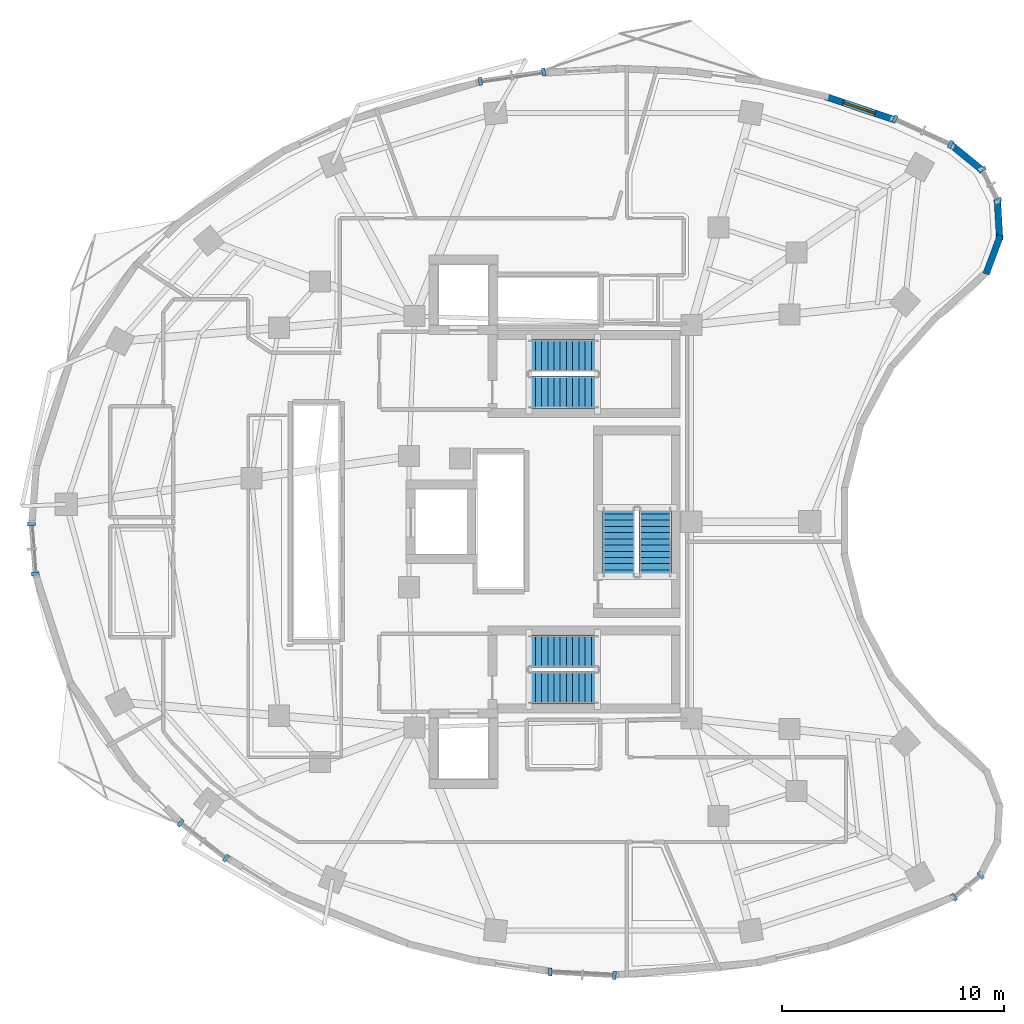
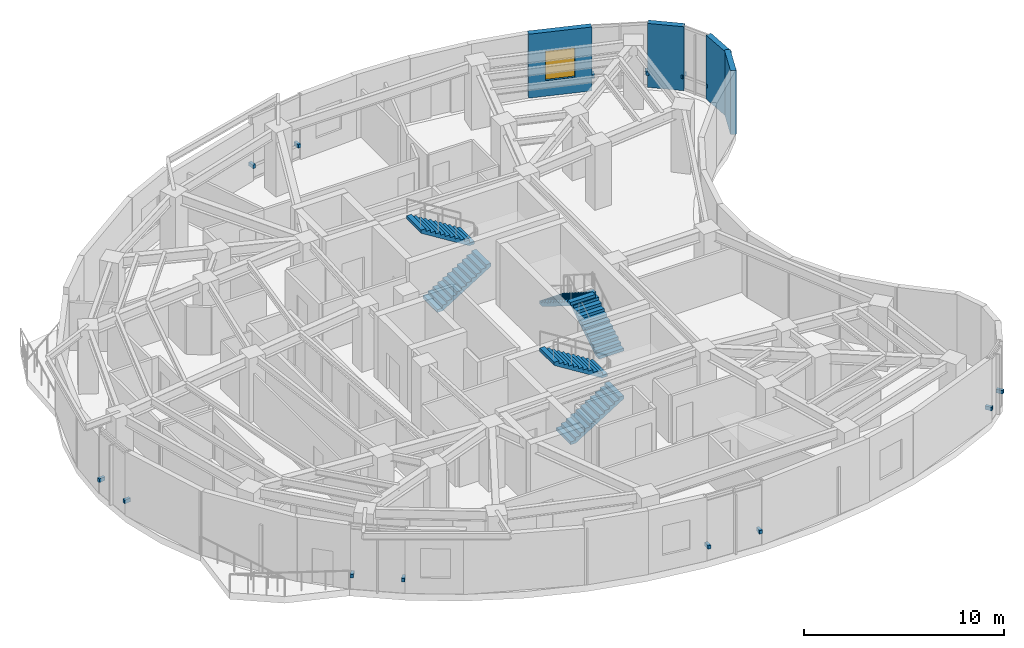
# One storey, part 10 of 13: 14 discrete accessories, 6 stair flights, 4 walls, 1 window, 1 opening, 3 elements without a shape of their own.
"""IFC4 building model written with IfcOpenShell, lengths in metres."""

import ifcopenshell
import ifcopenshell.guid

model = None  # the IFC model being written
_history = None  # IfcOwnerHistory: only IFC2X3 demands one
_inside = {}  # id of a spatial element -> (the spatial element, [elements in it])
_under = {}  # id of a project, library or spatial element -> (it, [spatial elements below it])
_declared = {}  # id of a project -> (the project, [libraries it declares])
_typed = {}  # id of a type object -> (the type object, [elements of that type])
_made_of = {}  # id of a material, layer set ... -> (it, [elements and type objects made of it])


def new_model(schema):
    """Start an empty IFC model of exactly this schema.

    Asked for "IFC4X3", IfcOpenShell would pick the latest addendum, in which some entities
    have other attributes; the version numbers below select the first issue.
    IFC2X3 requires an IfcOwnerHistory on every rooted entity: one is made here for all.
    """
    global model, _history
    if schema == "IFC4X3":
        model = ifcopenshell.file(schema_version=(4, 3, 0, 0))
    else:
        model = ifcopenshell.file(schema=schema)
    _inside.clear()
    _under.clear()
    _declared.clear()
    _typed.clear()
    _made_of.clear()
    _history = None
    if model.schema == "IFC2X3":
        org = make("IfcOrganization", Name="unknown")
        user = make(
            "IfcPersonAndOrganization",
            ThePerson=make("IfcPerson", FamilyName="unknown"),
            TheOrganization=org,
        )
        app = make(
            "IfcApplication",
            ApplicationDeveloper=org,
            Version="unknown",
            ApplicationFullName="unknown",
            ApplicationIdentifier="unknown",
        )
        _history = make(
            "IfcOwnerHistory",
            OwningUser=user,
            OwningApplication=app,
            ChangeAction="ADDED",
            CreationDate=0,
        )
    return model


def make(cls, **values):
    """One entity of the class cls with the attributes given. An attribute that is None is left unset."""
    return model.create_entity(
        cls, **{name: value for name, value in values.items() if value is not None}
    )


def rooted(cls, **values):
    """An entity with a GlobalId (a new one), such as an element, a storey or a relation."""
    return make(cls, GlobalId=ifcopenshell.guid.new(), OwnerHistory=_history, **values)


def si_unit(unit_type, name, prefix=None):
    """IfcSIUnit, for example si_unit("LENGTHUNIT", "METRE", prefix="MILLI")."""
    return make("IfcSIUnit", UnitType=unit_type, Prefix=prefix, Name=name)


def assignment(units):
    """IfcUnitAssignment: the units of a project."""
    return None if units is None else make("IfcUnitAssignment", Units=units)


def point(xyz):
    """IfcCartesianPoint."""
    return None if xyz is None else make("IfcCartesianPoint", Coordinates=xyz)


def direction(xyz):
    """IfcDirection."""
    return None if xyz is None else make("IfcDirection", DirectionRatios=xyz)


def frame(location, z_axis=None, x_axis=None):
    """IfcAxis2Placement3D, a coordinate frame: its origin and axes. An axis left out is left unset."""
    return make(
        "IfcAxis2Placement3D",
        Location=point(location),
        Axis=direction(z_axis),
        RefDirection=direction(x_axis),
    )


def frame_2d(location, x_axis=None):
    """IfcAxis2Placement2D, a coordinate frame in the plane: its origin and x axis."""
    return make(
        "IfcAxis2Placement2D", Location=point(location), RefDirection=direction(x_axis)
    )


def origin():
    """The frame at (0, 0, 0) with its axes left unset."""
    return frame((0.0, 0.0, 0.0))


def origin_2d():
    """The frame at (0, 0) in the plane with its x axis left unset."""
    return frame_2d((0.0, 0.0))


def place(relative_to, where):
    """IfcLocalPlacement: puts the frame where relative to a parent placement (None: the world)."""
    return make(
        "IfcLocalPlacement", PlacementRelTo=relative_to, RelativePlacement=where
    )


def context(
    kind, dimensions, precision=None, world=None, true_north=None, identifier=None
):
    """IfcGeometricRepresentationContext, for example the 3D "Model" context."""
    return make(
        "IfcGeometricRepresentationContext",
        ContextIdentifier=identifier,
        ContextType=kind,
        CoordinateSpaceDimension=dimensions,
        Precision=precision,
        WorldCoordinateSystem=world,
        TrueNorth=true_north,
    )


def subcontext(parent, identifier, kind, view, scale=None):
    """IfcGeometricRepresentationSubContext, for example "Body" below "Model"."""
    return make(
        "IfcGeometricRepresentationSubContext",
        ContextIdentifier=identifier,
        ContextType=kind,
        ParentContext=parent,
        TargetScale=scale,
        TargetView=view,
    )


def project(units=None, contexts=None):
    """IfcProject with its units and contexts."""
    return rooted(
        "IfcProject",
        Name="project",
        RepresentationContexts=contexts,
        UnitsInContext=assignment(units),
    )


def spatial(cls, under=None, at=None, **own):
    """A site, building, storey or space (cls), placed at a placement, below another one or the project."""
    s = rooted(cls, ObjectPlacement=at, **own)
    if under is not None:
        _under.setdefault(under.id(), (under, []))[1].append(s)
    return s


def polyline(points):
    """IfcPolyline through the points."""
    return make("IfcPolyline", Points=[point(p) for p in points])


def profile(cls, at=None, kind="AREA", **sizes):
    """A parametric profile (cls). Its sizes go by their IFC names, for example OverallWidth=200.0."""
    return make(cls, ProfileType=kind, Position=at, **sizes)


def rectangle(**sizes):
    """IfcRectangleProfileDef."""
    return profile("IfcRectangleProfileDef", **sizes)


def outline(outer, holes=None, kind="AREA"):
    """IfcArbitraryClosedProfileDef: a profile drawn as a closed curve; with holes, ...WithVoids."""
    if holes is None:
        return make("IfcArbitraryClosedProfileDef", ProfileType=kind, OuterCurve=outer)
    return make(
        "IfcArbitraryProfileDefWithVoids",
        ProfileType=kind,
        OuterCurve=outer,
        InnerCurves=holes,
    )


def extrude(swept, where, along, depth):
    """IfcExtrudedAreaSolid: the profile swept, set in the frame where, extruded along a direction by depth."""
    return make(
        "IfcExtrudedAreaSolid",
        SweptArea=swept,
        Position=where,
        ExtrudedDirection=direction(along),
        Depth=depth,
    )


def shape(context_of_items, identifier, shape_type, items):
    """IfcShapeRepresentation: the items that make up one representation, for example the "Body"."""
    return make(
        "IfcShapeRepresentation",
        ContextOfItems=context_of_items,
        RepresentationIdentifier=identifier,
        RepresentationType=shape_type,
        Items=items,
    )


def material(Name=None, Category=None):
    """IfcMaterial."""
    return make("IfcMaterial", Name=Name, Category=Category)


def layer(
    of_material, thickness, ventilated=None, Name=None, Category=None, Priority=None
):
    """IfcMaterialLayer: one layer of a wall or slab, of a material (None: an air gap)."""
    return make(
        "IfcMaterialLayer",
        Material=of_material,
        LayerThickness=thickness,
        IsVentilated=ventilated,
        Name=Name,
        Category=Category,
        Priority=Priority,
    )


def layer_set(layers, Name=None):
    """IfcMaterialLayerSet."""
    return make("IfcMaterialLayerSet", MaterialLayers=layers, LayerSetName=Name)


def made_of(thing, what):
    """Note that an element or type object is made of a material, layer set ...; save() writes the relation."""
    if what is not None:
        _made_of.setdefault(what.id(), (what, []))[1].append(thing)
    return thing


def type_object(cls, material=None, **own):
    """A type object (cls), such as IfcWallType, which elements share."""
    return made_of(rooted(cls, **own), material)


def element(
    cls,
    number,
    at=None,
    inside=None,
    cuts=None,
    type_object=None,
    material=None,
    context=None,
    identifier="Body",
    shape_type=None,
    held_by="IfcProductDefinitionShape",
    body=None,
    shapes=None,
    **own,
):
    """One element of the class cls, such as IfcWall. Its Tag is "e" and its number.

    at: its placement. inside: the storey or other place that contains it. cuts: it is an
    opening in that element (IfcRelVoidsElement). A single representation is given by context,
    identifier, shape_type and body (its items); several are given by shapes. held_by: the class
    of the entity that holds the representations. save() writes the other relations.
    """
    e = rooted(cls, Tag="e%d" % number, ObjectPlacement=at, **own)
    if body is not None:
        shapes = [shape(context, identifier, shape_type, body)]
    if shapes is not None:
        e.Representation = make(held_by, Representations=shapes)
    if inside is not None:
        _inside.setdefault(inside.id(), (inside, []))[1].append(e)
    if cuts is not None:
        rooted(
            "IfcRelVoidsElement", RelatingBuildingElement=cuts, RelatedOpeningElement=e
        )
    if type_object is not None:
        _typed.setdefault(type_object.id(), (type_object, []))[1].append(e)
    return made_of(e, material)


def fill(opening, filler):
    """IfcRelFillsElement: the door or window that sits in an opening."""
    return rooted(
        "IfcRelFillsElement",
        RelatingOpeningElement=opening,
        RelatedBuildingElement=filler,
    )


def aggregate(whole, parts):
    """IfcRelAggregates: a whole, such as a stair, and the parts it consists of."""
    return rooted("IfcRelAggregates", RelatingObject=whole, RelatedObjects=parts)


def save(model, path):
    """Write the relations noted so far, then the file.

    IfcRelAggregates (storeys below a building ...), IfcRelContainedInSpatialStructure (elements
    in a storey), IfcRelDefinesByType, IfcRelAssociatesMaterial and IfcRelDeclares: one each for
    every whole, place, type object, material and project.
    """
    for whole, parts in _under.values():
        aggregate(whole, parts)
    for where, things in _inside.values():
        rooted(
            "IfcRelContainedInSpatialStructure",
            RelatedElements=things,
            RelatingStructure=where,
        )
    for kind, things in _typed.values():
        rooted("IfcRelDefinesByType", RelatedObjects=things, RelatingType=kind)
    for what, things in _made_of.values():
        rooted("IfcRelAssociatesMaterial", RelatedObjects=things, RelatingMaterial=what)
    for by, libraries in _declared.values():
        rooted("IfcRelDeclares", RelatingContext=by, RelatedDefinitions=libraries)
    model.write(path)


model = new_model("IFC4")

# Units and contexts
model_context = context("Model", 3, precision=1e-05, world=origin(), true_north=direction((0.0, 1.0)))
body_context = subcontext(model_context, "Body", "Model", "MODEL_VIEW")
ifc_project = project(units=[si_unit("LENGTHUNIT", "METRE"), si_unit("AREAUNIT", "SQUARE_METRE"), si_unit("VOLUMEUNIT", "CUBIC_METRE"), si_unit("PLANEANGLEUNIT", "RADIAN"), si_unit("MASSUNIT", "GRAM", prefix="KILO")], contexts=[model_context])

# Site, building, storey
site_placement = place(None, origin())
site = spatial("IfcSite", under=ifc_project, at=site_placement, CompositionType="ELEMENT")
building_placement = place(site_placement, origin())
building = spatial("IfcBuilding", under=site, at=building_placement, Name="Korentha Bioscience Tower", CompositionType="ELEMENT")
storey_placement = place(building_placement, frame((0.0, 0.0, 166.800048828125)))
storey = spatial("IfcBuildingStorey", under=building, at=storey_placement, Name="L38", CompositionType="ELEMENT", Elevation=166.800048828125)

# Wall, opening, window
ifc_material_1 = material(Name="Honed Limestone Precast Concrete C40", Category="masonry")
ifc_layer = layer(ifc_material_1, 0.300048828125, Name="Honed Limestone Precast Concrete C40")
ifc_layer_set = layer_set([ifc_layer], Name="Honed Limestone Precast Concrete C40 (EW-ST300)")
wall_type = type_object("IfcWallType", Name="Honed Limestone Cavity Spandrel Wall 300", PredefinedType="STANDARD", material=ifc_layer_set)
wall_placement = place(storey_placement, frame((46.626953125, 45.105224609375, 0.0), z_axis=(0.0, 0.0, 1.0), x_axis=(-0.947663163736, 0.319271871761, 0.0)))
wall = element("IfcWall", 1, at=wall_placement, inside=storey, type_object=wall_type, Name="L38 Honed Limestone Spandrel Wall 02", PredefinedType="STANDARD", context=body_context, shape_type="SweptSolid", body=[
    extrude(rectangle(XDim=3.222412109375, YDim=0.300048828125, at=frame_2d((1.611328125, 0.0))), origin(), (0.0, 0.0, 1.0), 3.89990234375),
])
opening_placement = place(wall_placement, frame((0.861083984375, 0.0, 0.949951171875)))
opening = element("IfcOpeningElement", 2, at=opening_placement, cuts=wall, Name="Opening WN-02", PredefinedType="OPENING", context=body_context, shape_type="SweptSolid", body=[
    extrude(rectangle(XDim=1.5, YDim=1.800048828125, at=frame_2d((0.75, 0.89990234375))), frame((0.0, 0.1650390625, 0.0), z_axis=(0.0, -1.0, 0.0), x_axis=(1.0, 0.0, 0.0)), (0.0, 0.0, 1.0), 0.329833984375),
])
ifc_material_2 = material(Name="Thermally Broken Aluminium Triple Glazing", Category="aluminium")
window_type = type_object("IfcWindowType", Name="Acoustic Operable Office Window 1500x1800", PartitioningType="DOUBLE_PANEL_VERTICAL", PredefinedType="WINDOW", material=ifc_material_2)
window_placement = place(opening_placement, origin())
window = element("IfcWindow", 3, at=window_placement, inside=storey, type_object=window_type, Name="L38 Facade Window 02", OverallHeight=1.800048828125, OverallWidth=1.5, PartitioningType="DOUBLE_PANEL_VERTICAL", PredefinedType="WINDOW", context=body_context, shape_type="SweptSolid", body=[
    extrude(rectangle(XDim=1.5, YDim=1.800048828125, at=frame_2d((0.75, 0.89990234375))), frame((0.0, 0.030029296875, 0.0), z_axis=(0.0, -1.0, 0.0), x_axis=(1.0, 0.0, 0.0)), (0.0, 0.0, 1.0), 0.06005859375),
])
fill(opening, window)

# Walls
for number, where, z_axis, x_axis, name in (
    (4, (50.811279296875, 38.143310546875, 0.0), (0.0, 0.0, 1.0), (0.348984166898, 0.937128620443, 0.0), "L38 Limestone Perimeter Closure Wall 59"),
    (5, (51.425537109375, 39.6669921875, 0.0), (0.0, 0.0, 1.0), (-0.057485341891, 0.998346350455, 0.0), "L38 Limestone Perimeter Closure Wall 60"),
    (6, (50.668212890625, 42.7919921875, 0.0), (0.0, 0.0, 1.0), (-0.774174596654, 0.632972111467, 0.0), "L38 Limestone Perimeter Closure Wall 62"),
):
    element("IfcWall", number, at=place(storey_placement, frame(where, z_axis=z_axis, x_axis=x_axis)), inside=storey, type_object=wall_type, Name=name, PredefinedType="STANDARD", context=body_context, shape_type="SweptSolid", body=[
        extrude(rectangle(XDim=1.851806640625, YDim=0.300048828125, at=frame_2d((0.92578125, 0.0))), origin(), (0.0, 0.0, 1.0), 3.89990234375),
    ])

# Stair, stair flights
ifc_material_3 = material(Name="Precast Concrete C50", Category="concrete")
stair_type = type_object("IfcStairType", Name="Core Exit Dog-Leg Stair 1450", PredefinedType="HALF_TURN_STAIR", material=ifc_material_3)
stair_1_placement = place(storey_placement, origin())
stair_1 = element("IfcStair", 7, at=stair_1_placement, inside=storey, type_object=stair_type, Name="L38 Tower North Pressurized Exit Stair ST-1", PredefinedType="HALF_TURN_STAIR")
stair_flight_type = type_object("IfcStairFlightType", Name="Core Exit Dog-Leg Stair 1450 Flight", PredefinedType="STRAIGHT", material=ifc_material_3)
stair_flight_1_placement = place(storey_placement, frame((30.25, 32.824951171875, 0.0), z_axis=(0.0, 0.0, 1.0), x_axis=(1.0, 0.0, 0.0)))
stair_flight_1 = element("IfcStairFlight", 8, at=stair_flight_1_placement, type_object=stair_flight_type, Name="ST-1 flight 1", NumberOfRisers=12, NumberOfTreads=11, PredefinedType="STRAIGHT", RiserHeight=0.175, TreadLength=0.28, context=body_context, shape_type="SweptSolid", body=[
    extrude(outline(polyline([(0.0, 0.0), (0.0, 0.175048828125), (0.280029296875, 0.175048828125), (0.280029296875, 0.35009765625), (0.56005859375, 0.35009765625), (0.56005859375, 0.52490234375), (0.840087890625, 0.52490234375), (0.840087890625, 0.699951171875), (1.1201171875, 0.699951171875), (1.1201171875, 0.875), (1.39990234375, 0.875), (1.39990234375, 1.050048828125), (1.679931640625, 1.050048828125), (1.679931640625, 1.22509765625), (1.9599609375, 1.22509765625), (1.9599609375, 1.39990234375), (2.239990234375, 1.39990234375), (2.239990234375, 1.574951171875), (2.52001953125, 1.574951171875), (2.52001953125, 1.75), (2.800048828125, 1.75), (2.800048828125, 1.925048828125), (3.080078125, 1.925048828125), (3.080078125, 2.10009765625), (3.080078125, 1.736328125), (0.3017578125, 0.0), (0.0, 0.0)])), frame((0.0, 0.72509765625, 0.0), z_axis=(0.0, -1.0, 0.0), x_axis=(1.0, 0.0, 0.0)), (0.0, 0.0, 1.0), 1.449951171875),
])
stair_flight_2_placement = place(storey_placement, frame((33.330078125, 34.47509765625, 2.099853515625), z_axis=(0.0, 0.0, 1.0), x_axis=(-1.0, 0.0, 0.0)))
stair_flight_2 = element("IfcStairFlight", 9, at=stair_flight_2_placement, type_object=stair_flight_type, Name="ST-1 flight 2", NumberOfRisers=12, NumberOfTreads=11, PredefinedType="STRAIGHT", RiserHeight=0.175, TreadLength=0.28, context=body_context, shape_type="SweptSolid", body=[
    extrude(outline(polyline([(0.0, 0.0), (0.0, 0.175048828125), (0.280029296875, 0.175048828125), (0.280029296875, 0.35009765625), (0.56005859375, 0.35009765625), (0.56005859375, 0.52490234375), (0.840087890625, 0.52490234375), (0.840087890625, 0.699951171875), (1.1201171875, 0.699951171875), (1.1201171875, 0.875), (1.39990234375, 0.875), (1.39990234375, 1.050048828125), (1.679931640625, 1.050048828125), (1.679931640625, 1.22509765625), (1.9599609375, 1.22509765625), (1.9599609375, 1.39990234375), (2.239990234375, 1.39990234375), (2.239990234375, 1.574951171875), (2.52001953125, 1.574951171875), (2.52001953125, 1.75), (2.800048828125, 1.75), (2.800048828125, 1.925048828125), (3.080078125, 1.925048828125), (3.080078125, 2.10009765625), (3.080078125, 1.736328125), (0.3017578125, 0.0), (0.0, 0.0)])), frame((0.0, 0.72509765625, 0.0), z_axis=(0.0, -1.0, 0.0), x_axis=(1.0, 0.0, 0.0)), (0.0, 0.0, 1.0), 1.449951171875),
])
aggregate(stair_1, [stair_flight_1, stair_flight_2])

stair_2_placement = place(storey_placement, origin())
stair_2 = element("IfcStair", 10, at=stair_2_placement, inside=storey, type_object=stair_type, Name="L38 Tower South Pressurized Exit Stair ST-2", PredefinedType="HALF_TURN_STAIR")
stair_flight_3_placement = place(storey_placement, frame((30.25, 19.52490234375, 0.0), z_axis=(0.0, 0.0, 1.0), x_axis=(1.0, 0.0, 0.0)))
stair_flight_3 = element("IfcStairFlight", 11, at=stair_flight_3_placement, type_object=stair_flight_type, Name="ST-2 flight 1", NumberOfRisers=12, NumberOfTreads=11, PredefinedType="STRAIGHT", RiserHeight=0.175, TreadLength=0.28, context=body_context, shape_type="SweptSolid", body=[
    extrude(outline(polyline([(0.0, 0.0), (0.0, 0.175048828125), (0.280029296875, 0.175048828125), (0.280029296875, 0.35009765625), (0.56005859375, 0.35009765625), (0.56005859375, 0.52490234375), (0.840087890625, 0.52490234375), (0.840087890625, 0.699951171875), (1.1201171875, 0.699951171875), (1.1201171875, 0.875), (1.39990234375, 0.875), (1.39990234375, 1.050048828125), (1.679931640625, 1.050048828125), (1.679931640625, 1.22509765625), (1.9599609375, 1.22509765625), (1.9599609375, 1.39990234375), (2.239990234375, 1.39990234375), (2.239990234375, 1.574951171875), (2.52001953125, 1.574951171875), (2.52001953125, 1.75), (2.800048828125, 1.75), (2.800048828125, 1.925048828125), (3.080078125, 1.925048828125), (3.080078125, 2.10009765625), (3.080078125, 1.736328125), (0.3017578125, 0.0), (0.0, 0.0)])), frame((0.0, 0.72509765625, 0.0), z_axis=(0.0, -1.0, 0.0), x_axis=(1.0, 0.0, 0.0)), (0.0, 0.0, 1.0), 1.449951171875),
])
stair_flight_4_placement = place(storey_placement, frame((33.330078125, 21.175048828125, 2.099853515625), z_axis=(0.0, 0.0, 1.0), x_axis=(-1.0, 0.0, 0.0)))
stair_flight_4 = element("IfcStairFlight", 12, at=stair_flight_4_placement, type_object=stair_flight_type, Name="ST-2 flight 2", NumberOfRisers=12, NumberOfTreads=11, PredefinedType="STRAIGHT", RiserHeight=0.175, TreadLength=0.28, context=body_context, shape_type="SweptSolid", body=[
    extrude(outline(polyline([(0.0, 0.0), (0.0, 0.175048828125), (0.280029296875, 0.175048828125), (0.280029296875, 0.35009765625), (0.56005859375, 0.35009765625), (0.56005859375, 0.52490234375), (0.840087890625, 0.52490234375), (0.840087890625, 0.699951171875), (1.1201171875, 0.699951171875), (1.1201171875, 0.875), (1.39990234375, 0.875), (1.39990234375, 1.050048828125), (1.679931640625, 1.050048828125), (1.679931640625, 1.22509765625), (1.9599609375, 1.22509765625), (1.9599609375, 1.39990234375), (2.239990234375, 1.39990234375), (2.239990234375, 1.574951171875), (2.52001953125, 1.574951171875), (2.52001953125, 1.75), (2.800048828125, 1.75), (2.800048828125, 1.925048828125), (3.080078125, 1.925048828125), (3.080078125, 2.10009765625), (3.080078125, 1.736328125), (0.3017578125, 0.0), (0.0, 0.0)])), frame((0.0, 0.72509765625, 0.0), z_axis=(0.0, -1.0, 0.0), x_axis=(1.0, 0.0, 0.0)), (0.0, 0.0, 1.0), 1.449951171875),
])
aggregate(stair_2, [stair_flight_3, stair_flight_4])

stair_3_placement = place(storey_placement, origin())
stair_3 = element("IfcStair", 13, at=stair_3_placement, inside=storey, type_object=stair_type, Name="L38 Tower Central Pressurized Exit Stair ST-3", PredefinedType="HALF_TURN_STAIR")
stair_flight_5_placement = place(storey_placement, frame((35.925048828125, 24.550048828125, 0.0), z_axis=(0.0, 0.0, 1.0), x_axis=(0.0, 1.0, 0.0)))
stair_flight_5 = element("IfcStairFlight", 14, at=stair_flight_5_placement, type_object=stair_flight_type, Name="ST-3 flight 1", NumberOfRisers=12, NumberOfTreads=11, PredefinedType="STRAIGHT", RiserHeight=0.175, TreadLength=0.28, context=body_context, shape_type="SweptSolid", body=[
    extrude(outline(polyline([(0.0, 0.0), (0.0, 0.175048828125), (0.280029296875, 0.175048828125), (0.280029296875, 0.35009765625), (0.56005859375, 0.35009765625), (0.56005859375, 0.52490234375), (0.840087890625, 0.52490234375), (0.840087890625, 0.699951171875), (1.1201171875, 0.699951171875), (1.1201171875, 0.875), (1.39990234375, 0.875), (1.39990234375, 1.050048828125), (1.679931640625, 1.050048828125), (1.679931640625, 1.22509765625), (1.9599609375, 1.22509765625), (1.9599609375, 1.39990234375), (2.239990234375, 1.39990234375), (2.239990234375, 1.574951171875), (2.52001953125, 1.574951171875), (2.52001953125, 1.75), (2.800048828125, 1.75), (2.800048828125, 1.925048828125), (3.080078125, 1.925048828125), (3.080078125, 2.10009765625), (3.080078125, 1.736328125), (0.3017578125, 0.0), (0.0, 0.0)])), frame((0.0, 0.72509765625, 0.0), z_axis=(0.0, -1.0, 0.0), x_axis=(1.0, 0.0, 0.0)), (0.0, 0.0, 1.0), 1.449951171875),
])
stair_flight_6_placement = place(storey_placement, frame((34.27490234375, 27.6298828125, 2.099853515625), z_axis=(0.0, 0.0, 1.0), x_axis=(0.0, -1.0, 0.0)))
stair_flight_6 = element("IfcStairFlight", 15, at=stair_flight_6_placement, type_object=stair_flight_type, Name="ST-3 flight 2", NumberOfRisers=12, NumberOfTreads=11, PredefinedType="STRAIGHT", RiserHeight=0.175, TreadLength=0.28, context=body_context, shape_type="SweptSolid", body=[
    extrude(outline(polyline([(0.0, 0.0), (0.0, 0.175048828125), (0.280029296875, 0.175048828125), (0.280029296875, 0.35009765625), (0.56005859375, 0.35009765625), (0.56005859375, 0.52490234375), (0.840087890625, 0.52490234375), (0.840087890625, 0.699951171875), (1.1201171875, 0.699951171875), (1.1201171875, 0.875), (1.39990234375, 0.875), (1.39990234375, 1.050048828125), (1.679931640625, 1.050048828125), (1.679931640625, 1.22509765625), (1.9599609375, 1.22509765625), (1.9599609375, 1.39990234375), (2.239990234375, 1.39990234375), (2.239990234375, 1.574951171875), (2.52001953125, 1.574951171875), (2.52001953125, 1.75), (2.800048828125, 1.75), (2.800048828125, 1.925048828125), (3.080078125, 1.925048828125), (3.080078125, 2.10009765625), (3.080078125, 1.736328125), (0.3017578125, 0.0), (0.0, 0.0)])), frame((0.0, 0.72509765625, 0.0), z_axis=(0.0, -1.0, 0.0), x_axis=(1.0, 0.0, 0.0)), (0.0, 0.0, 1.0), 1.449951171875),
])
aggregate(stair_3, [stair_flight_5, stair_flight_6])

# Discrete accessories
ifc_material_4 = material(Name="Stainless Steel 316", Category="steel")
discrete_accessory_type = type_object("IfcDiscreteAccessoryType", Name="Stainless Steel Solar-Screen Outrigger Bracket", PredefinedType="BRACKET", material=ifc_material_4)
for number, where, z_axis, x_axis, name in (
    (16, (49.205810546875, 43.982421875, 0.73974609375), (0.0, 0.0, 1.0), (-0.910644398392, 0.413190972406, 0.0), "CW-L38-01 Solar-Screen Support Bracket 1"),
    (17, (46.70947265625, 45.114990234375, 0.73974609375), (0.0, 0.0, 1.0), (-0.910644398392, 0.413190972406, 0.0), "CW-L38-01 Solar-Screen Support Bracket 2"),
    (18, (30.89990234375, 47.232666015625, 0.73974609375), (0.0, 0.0, 1.0), (-0.989461919888, -0.144793332342, 0.0), "CW-L38-07 Solar-Screen Support Bracket 1"),
    (19, (28.0556640625, 46.81640625, 0.73974609375), (0.0, 0.0, 1.0), (-0.989461919888, -0.144793332342, 0.0), "CW-L38-07 Solar-Screen Support Bracket 2"),
    (20, (7.8544921875, 26.89599609375, 0.73974609375), (0.0, 0.0, 1.0), (0.078030772566, -0.996950950916, 0.0), "CW-L38-19 Solar-Screen Support Bracket 1"),
    (21, (8.029541015625, 24.658447265625, 0.73974609375), (0.0, 0.0, 1.0), (0.078030772566, -0.996950950916, 0.0), "CW-L38-19 Solar-Screen Support Bracket 2"),
    (22, (14.565673828125, 13.443359375, 0.73974609375), (0.0, 0.0, 1.0), (0.790546796919, -0.612401634454, 0.0), "CW-L38-25 Solar-Screen Support Bracket 1"),
    (23, (16.61083984375, 11.859130859375, 0.73974609375), (0.0, 0.0, 1.0), (0.790546796919, -0.612401634454, 0.0), "CW-L38-25 Solar-Screen Support Bracket 2"),
    (24, (31.201171875, 6.737548828125, 0.73974609375), (0.0, 0.0, 1.0), (0.998637677307, -0.052180355139, 0.0), "CW-L38-31 Solar-Screen Support Bracket 1"),
    (25, (34.089599609375, 6.586669921875, 0.73974609375), (0.0, 0.0, 1.0), (0.998637677307, -0.052180355139, 0.0), "CW-L38-31 Solar-Screen Support Bracket 2"),
    (26, (49.366943359375, 10.10546875, 0.73974609375), (0.0, 0.0, 1.0), (0.77425646139, 0.632871971251, 0.0), "CW-L38-37 Solar-Screen Support Bracket 1"),
    (27, (50.573974609375, 11.092041015625, 0.73974609375), (0.0, 0.0, 1.0), (0.77425646139, 0.632871971251, 0.0), "CW-L38-37 Solar-Screen Support Bracket 2"),
    (28, (51.33544921875, 41.452880859375, 0.73974609375), (0.0, 0.0, 1.0), (-0.45428845847, 0.890854643868, 0.0), "CW-L38-61 Solar-Screen Support Bracket 1"),
    (29, (50.627197265625, 42.842041015625, 0.73974609375), (0.0, 0.0, 1.0), (-0.45428845847, 0.890854643868, 0.0), "CW-L38-61 Solar-Screen Support Bracket 2"),
):
    element("IfcDiscreteAccessory", number, at=place(storey_placement, frame(where, z_axis=z_axis, x_axis=x_axis)), inside=storey, type_object=discrete_accessory_type, Name=name, PredefinedType="BRACKET", context=body_context, shape_type="SweptSolid", body=[
        extrude(rectangle(XDim=0.159912109375, YDim=0.360107421875, at=origin_2d()), origin(), (0.0, 0.0, 1.0), 0.219970703125),
    ])

save(model, "model.ifc")
